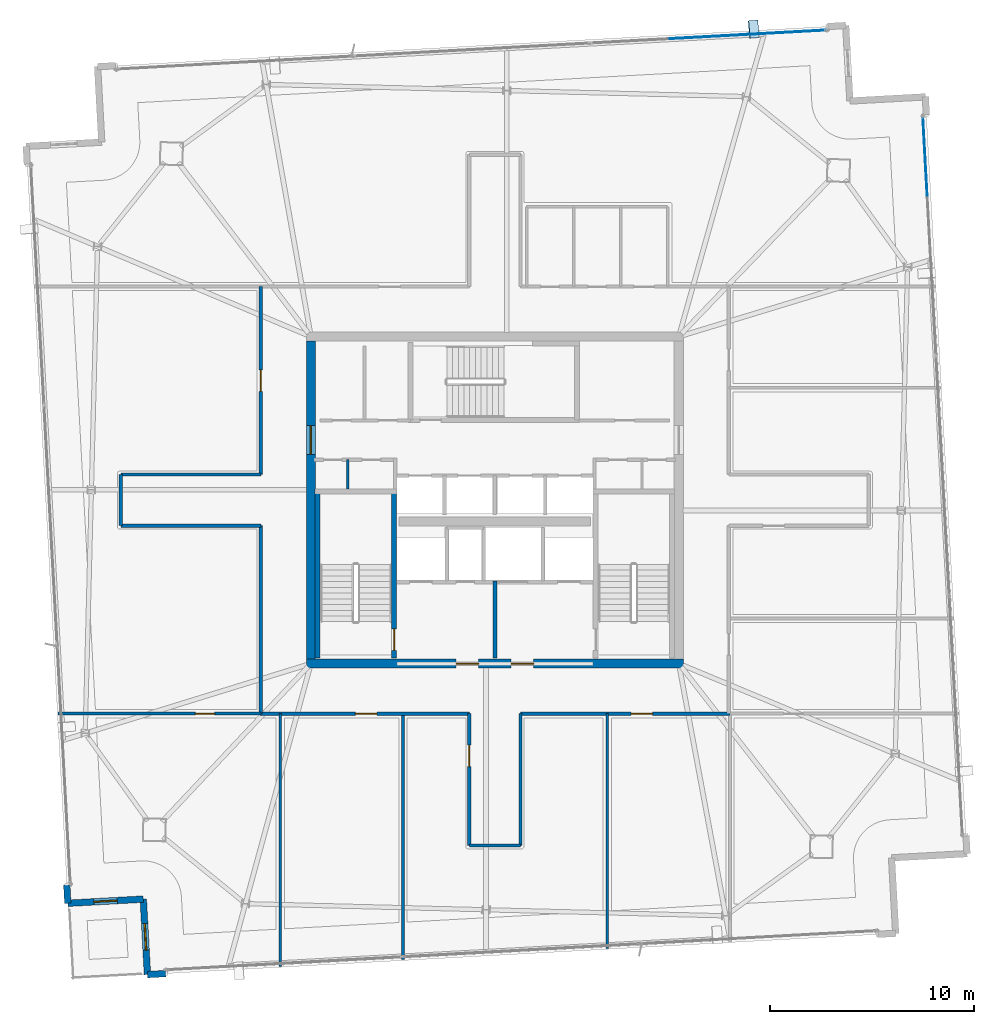
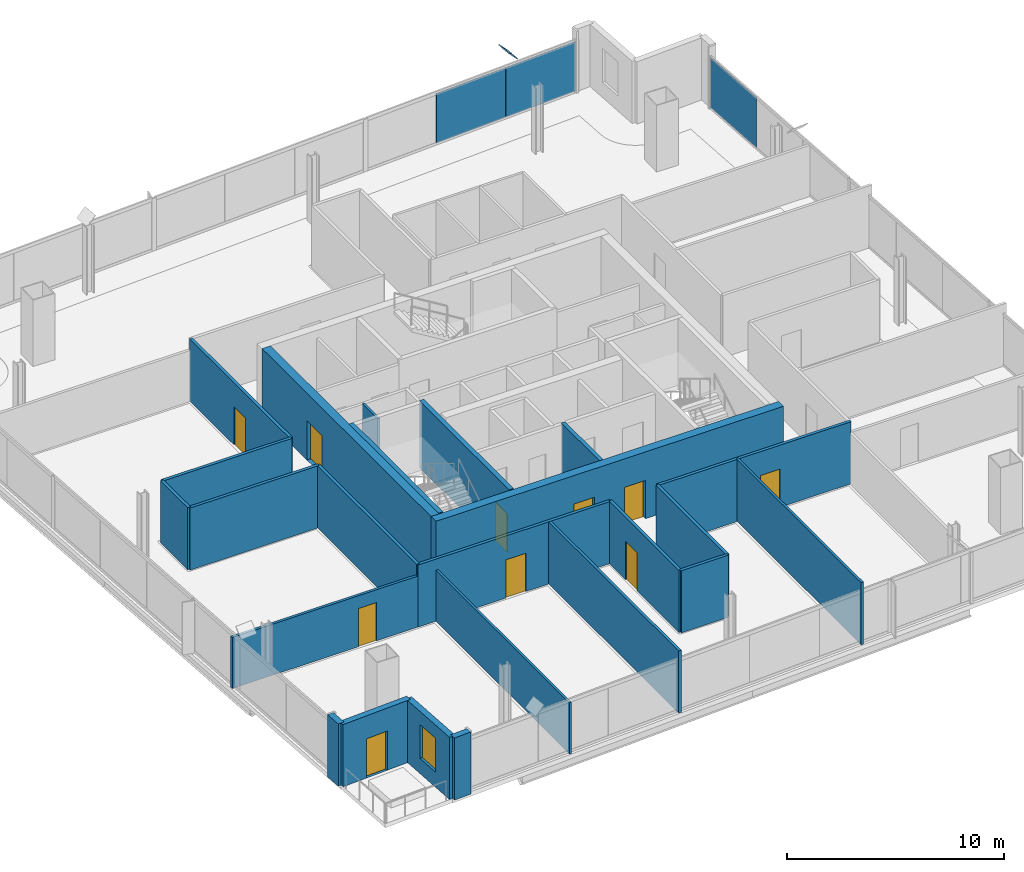
# One storey, part 17 of 23: 24 walls, 10 doors, 4 plates, 1 window, 11 openings, 2 elements without a shape of their own.
"""IFC4 building model written with IfcOpenShell, lengths in metres."""

from ifc_helpers import new_model, si_unit, direction, frame, frame_2d, origin, origin_2d, place, context, subcontext, project, spatial, rectangle, extrude, source, transform, mapped, material, layer, layer_set, type_object, element, fill, aggregate, save


model = new_model("IFC4")

# Units and contexts
model_context = context("Model", 3, precision=1e-05, world=origin(), true_north=direction((0.0, 1.0)))
body_context = subcontext(model_context, "Body", "Model", "MODEL_VIEW")
ifc_project = project(units=[si_unit("LENGTHUNIT", "METRE"), si_unit("AREAUNIT", "SQUARE_METRE"), si_unit("VOLUMEUNIT", "CUBIC_METRE"), si_unit("PLANEANGLEUNIT", "RADIAN"), si_unit("MASSUNIT", "GRAM", prefix="KILO")], contexts=[model_context])

# Site, building, storey
site_placement = place(None, origin())
site = spatial("IfcSite", under=ifc_project, at=site_placement, CompositionType="ELEMENT")
building_placement = place(site_placement, origin())
building = spatial("IfcBuilding", under=site, at=building_placement, Name="Haldenkirk Collegiate Tower", CompositionType="ELEMENT")
storey_placement = place(building_placement, frame((0.0, 0.0, 340.199951171875)))
storey = spatial("IfcBuildingStorey", under=building, at=storey_placement, Name="L86", CompositionType="ELEMENT", Elevation=340.199951171875)

# Plate
ifc_material_1 = material(Name="Steel ASTM A572 Grade 50", Category="steel")
ifc_layer_1 = layer(ifc_material_1, 0.034912109375)
ifc_layer_set_1 = layer_set([ifc_layer_1], Name="Steel ASTM A572 Grade 50")
plate_type_1 = type_object("IfcPlateType", Name="PLT-CAP-EXT-760X600", PredefinedType="USERDEFINED", material=ifc_layer_set_1)
shared_shape_1 = source(origin(), body_context, "Body", "SweptSolid", [
    extrude(rectangle(XDim=0.860107421875, YDim=0.659912109375, at=origin_2d()), origin(), (0.0, 0.0, 1.0), 0.034912109375),
])
plate_1_placement = place(storey_placement, frame((48.654052734375, 49.043701171875, 3.47802734375), z_axis=(0.724750704433, 0.060998975123, 0.686305720112), x_axis=(-0.083868952574, 0.996476792903, 2.8204e-08)))
element("IfcPlate", 1, at=plate_1_placement, inside=storey, type_object=plate_type_1, Name="Perimeter Mega Brace Z6 L84-L86 EL end cap plate 2", ObjectType="END CAP PLATE", PredefinedType="USERDEFINED", context=body_context, shape_type="MappedRepresentation", body=[
    mapped(shared_shape_1, transform((0.0, 0.0, 0.0), x_axis=(1.0, 0.0, 0.0), y_axis=(0.0, 1.0, 0.0), z_axis=(0.0, 0.0, 1.0), scale=1.0)),
])

# Curtain wall, plate
ifc_material_2 = material(Name="Anodised architectural bronze aluminium", Category="aluminium")
curtain_wall_type_1 = type_object("IfcCurtainWallType", Name="CW-SYS2-CONCAVE", PredefinedType="USERDEFINED", material=ifc_material_2)
curtain_wall_1_placement = place(storey_placement, origin())
curtain_wall_1 = element("IfcCurtainWall", 2, at=curtain_wall_1_placement, inside=storey, type_object=curtain_wall_type_1, Name="L86 South concave recessed bronze-anodised curtain wall", ObjectType="UNITISED CURTAIN WALL", PredefinedType="USERDEFINED")
ifc_material_3 = material(Name="Low-E argon triple insulating glass", Category="glass")
ifc_layer_2 = layer(ifc_material_3, 0.0419921875)
ifc_layer_set_2 = layer_set([ifc_layer_2], Name="Low-E argon triple insulating glass")
plate_type_2 = type_object("IfcPlateType", Name="CW-PNL-02", PredefinedType="CURTAIN_PANEL", material=ifc_layer_set_2)
shared_shape_2 = source(origin(), body_context, "Body", "SweptSolid", [
    extrude(rectangle(XDim=3.872314453125, YDim=0.0419921875, at=origin_2d()), origin(), (0.0, 0.0, 1.0), 2.798095703125),
])
plate_2_placement = place(storey_placement, frame((57.052490234375, 42.821044921875, 0.0751953125), z_axis=(0.0, 0.0, 1.0), x_axis=(0.054948957849, -0.998489164704, 0.0)))
plate_2 = element("IfcPlate", 3, at=plate_2_placement, type_object=plate_type_2, Name="CW-02 panel 1.1a", PredefinedType="CURTAIN_PANEL", context=body_context, shape_type="MappedRepresentation", body=[
    mapped(shared_shape_2, transform((0.0, 0.0, 0.0), x_axis=(1.0, 0.0, 0.0), y_axis=(0.0, 1.0, 0.0), z_axis=(0.0, 0.0, 1.0), scale=1.0)),
])
aggregate(curtain_wall_1, [plate_2])

# Curtain wall, plates
curtain_wall_type_2 = type_object("IfcCurtainWallType", Name="CW-SYS1B-CONVEX-HI", PredefinedType="USERDEFINED", material=ifc_material_2)
curtain_wall_2_placement = place(storey_placement, origin())
curtain_wall_2 = element("IfcCurtainWall", 4, at=curtain_wall_2_placement, inside=storey, type_object=curtain_wall_type_2, Name="L86 Upper tower high-wind convex bronze unitised curtain wall", ObjectType="UNITISED CURTAIN WALL", PredefinedType="USERDEFINED")
ifc_material_4 = material(Name="Bronze-anodised insulated aluminium spandrel panel", Category="aluminium")
ifc_layer_3 = layer(ifc_material_4, 0.048095703125)
ifc_layer_set_3 = layer_set([ifc_layer_3], Name="Bronze-anodised insulated aluminium spandrel panel")
plate_type_3 = type_object("IfcPlateType", Name="CW-SPD-1B", PredefinedType="CURTAIN_PANEL", material=ifc_layer_set_3)
shared_shape_3 = source(origin(), body_context, "Body", "SweptSolid", [
    extrude(rectangle(XDim=3.820068359375, YDim=0.048095703125, at=origin_2d()), origin(), (0.0, 0.0, 1.0), 2.778076171875),
])
plate_3_placement = place(storey_placement, frame((50.293701171875, 48.889892578125, 0.0849609375), z_axis=(0.0, 0.0, 1.0), x_axis=(0.998489243173, 0.054947531961, 0.0)))
plate_3 = element("IfcPlate", 5, at=plate_3_placement, type_object=plate_type_3, Name="CW-1B spandrel panel 3.1c", PredefinedType="CURTAIN_PANEL", context=body_context, shape_type="MappedRepresentation", body=[
    mapped(shared_shape_3, transform((0.0, 0.0, 0.0), x_axis=(1.0, 0.0, 0.0), y_axis=(0.0, 1.0, 0.0), z_axis=(0.0, 0.0, 1.0), scale=1.0)),
])
shared_shape_4 = source(origin(), body_context, "Body", "SweptSolid", [
    extrude(rectangle(XDim=3.8076171875, YDim=0.048095703125, at=origin_2d()), origin(), (0.0, 0.0, 1.0), 2.778076171875),
])
plate_4_placement = place(storey_placement, frame((46.460693359375, 48.678955078125, 0.0849609375), z_axis=(0.0, 0.0, 1.0), x_axis=(0.998489243173, 0.054947531961, 0.0)))
plate_4 = element("IfcPlate", 6, at=plate_4_placement, type_object=plate_type_3, Name="CW-1B spandrel panel 3.1b", PredefinedType="CURTAIN_PANEL", context=body_context, shape_type="MappedRepresentation", body=[
    mapped(shared_shape_4, transform((0.0, 0.0, 0.0), x_axis=(1.0, 0.0, 0.0), y_axis=(0.0, 1.0, 0.0), z_axis=(0.0, 0.0, 1.0), scale=1.0)),
])
aggregate(curtain_wall_2, [plate_4, plate_3])

# Wall, openings, doors
ifc_material_5 = material(Name="Concrete f'c 55 MPa", Category="concrete")
ifc_layer_4 = layer(ifc_material_5, 0.449951171875)
ifc_layer_set_4 = layer_set([ifc_layer_4], Name="Concrete f'c 55 MPa")
wall_type_1 = type_object("IfcWallType", Name="WL-CORE-450", PredefinedType="SHEAR", material=ifc_layer_set_4)
wall_1_placement = place(storey_placement, frame((26.77490234375, 18.0, 0.0), z_axis=(0.0, 0.0, 1.0), x_axis=(1.0, 0.0, 0.0)))
wall_1 = element("IfcWall", 7, at=wall_1_placement, inside=storey, type_object=wall_type_1, Name="L86 central core shear wall S", PredefinedType="SHEAR", context=body_context, shape_type="SweptSolid", body=[
    extrude(rectangle(XDim=18.4501953125, YDim=0.449951171875, at=frame_2d((9.22509765625, 0.0))), origin(), (0.0, 0.0, 1.0), 3.75),
])
opening_1_placement = place(wall_1_placement, frame((7.324951171875, 0.0, 0.0)))
opening_1 = element("IfcOpeningElement", 8, at=opening_1_placement, cuts=wall_1, Name="Opening D-02", PredefinedType="OPENING", context=body_context, shape_type="SweptSolid", body=[
    extrude(rectangle(XDim=1.10009765625, YDim=2.14990234375, at=frame_2d((0.550048828125, 1.074951171875))), frame((0.0, 0.23486328125, 0.0), z_axis=(0.0, -1.0, 0.0), x_axis=(1.0, 0.0, 0.0)), (0.0, 0.0, 1.0), 0.469970703125),
])
opening_2_placement = place(wall_1_placement, frame((10.02490234375, 0.0, 0.0)))
opening_2 = element("IfcOpeningElement", 9, at=opening_2_placement, cuts=wall_1, Name="Opening D-02", PredefinedType="OPENING", context=body_context, shape_type="SweptSolid", body=[
    extrude(rectangle(XDim=1.10009765625, YDim=2.14990234375, at=frame_2d((0.550048828125, 1.074951171875))), frame((0.0, 0.23486328125, 0.0), z_axis=(0.0, -1.0, 0.0), x_axis=(1.0, 0.0, 0.0)), (0.0, 0.0, 1.0), 0.469970703125),
])
ifc_material_6 = material(Name="Galvanized fire-rated hollow steel door", Category="steel")
ifc_layer_5 = layer(ifc_material_6, 0.06005859375)
ifc_layer_set_5 = layer_set([ifc_layer_5], Name="Galvanized fire-rated hollow steel door")
door_type_1 = type_object("IfcDoorType", Name="DR-STAIR-FD90-1100", OperationType="NOTDEFINED", PredefinedType="DOOR", material=ifc_layer_set_5)
door_1_placement = place(opening_1_placement, origin())
door_1 = element("IfcDoor", 10, at=door_1_placement, inside=storey, type_object=door_type_1, Name="L86 Firefighting Lobby 1 door", OperationType="SINGLE_SWING_LEFT", OverallHeight=2.14990234375, OverallWidth=1.10009765625, PredefinedType="DOOR", context=body_context, shape_type="SweptSolid", body=[
    extrude(rectangle(XDim=1.10009765625, YDim=2.14990234375, at=frame_2d((0.550048828125, 1.074951171875))), frame((0.0, 0.02490234375, 0.0), z_axis=(0.0, -1.0, 0.0), x_axis=(1.0, 0.0, 0.0)), (0.0, 0.0, 1.0), 0.050048828125),
])
fill(opening_1, door_1)
door_2_placement = place(opening_2_placement, origin())
door_2 = element("IfcDoor", 11, at=door_2_placement, inside=storey, type_object=door_type_1, Name="L86 Firefighting Lobby 2 door", OperationType="SINGLE_SWING_RIGHT", OverallHeight=2.14990234375, OverallWidth=1.10009765625, PredefinedType="DOOR", context=body_context, shape_type="SweptSolid", body=[
    extrude(rectangle(XDim=1.10009765625, YDim=2.14990234375, at=frame_2d((0.550048828125, 1.074951171875))), frame((0.0, 0.02490234375, 0.0), z_axis=(0.0, -1.0, 0.0), x_axis=(1.0, 0.0, 0.0)), (0.0, 0.0, 1.0), 0.050048828125),
])
fill(opening_2, door_2)

# Wall, opening, door
wall_2_placement = place(storey_placement, frame((27.0, 18.22509765625, 0.0), z_axis=(0.0, 0.0, 1.0), x_axis=(0.0, 1.0, 0.0)))
wall_2 = element("IfcWall", 12, at=wall_2_placement, inside=storey, type_object=wall_type_1, Name="L86 central core shear wall W", PredefinedType="SHEAR", context=body_context, shape_type="SweptSolid", body=[
    extrude(rectangle(XDim=15.5498046875, YDim=0.449951171875, at=frame_2d((7.77490234375, 0.0))), origin(), (0.0, 0.0, 1.0), 3.75),
])
opening_3_placement = place(wall_2_placement, frame((10.014892578125, 0.0, 0.0)))
opening_3 = element("IfcOpeningElement", 13, at=opening_3_placement, cuts=wall_2, Name="Opening D-03", PredefinedType="OPENING", context=body_context, shape_type="SweptSolid", body=[
    extrude(rectangle(XDim=1.39990234375, YDim=2.199951171875, at=frame_2d((0.699951171875, 1.10009765625))), frame((0.0, 0.23486328125, 0.0), z_axis=(0.0, -1.0, 0.0), x_axis=(1.0, 0.0, 0.0)), (0.0, 0.0, 1.0), 0.469970703125),
])
ifc_layer_6 = layer(ifc_material_6, 0.06005859375)
ifc_layer_set_6 = layer_set([ifc_layer_6], Name="Galvanized fire-rated hollow steel door")
door_type_2 = type_object("IfcDoorType", Name="DR-LOBBY-FD90-1400", OperationType="NOTDEFINED", PredefinedType="DOOR", material=ifc_layer_set_6)
door_3_placement = place(opening_3_placement, origin())
door_3 = element("IfcDoor", 14, at=door_3_placement, inside=storey, type_object=door_type_2, Name="L86 west lift lobby portal", OperationType="DOUBLE_DOOR_SINGLE_SWING", OverallHeight=2.199951171875, OverallWidth=1.39990234375, PredefinedType="DOOR", context=body_context, shape_type="SweptSolid", body=[
    extrude(rectangle(XDim=1.39990234375, YDim=2.199951171875, at=frame_2d((0.699951171875, 1.10009765625))), frame((0.0, 0.02490234375, 0.0), z_axis=(0.0, -1.0, 0.0), x_axis=(1.0, 0.0, 0.0)), (0.0, 0.0, 1.0), 0.050048828125),
])
fill(opening_3, door_3)

# Wall
ifc_material_7 = material(Name="Precast concrete f'c 40 MPa", Category="concrete")
ifc_layer_7 = layer(ifc_material_7, 0.320068359375)
ifc_layer_set_7 = layer_set([ifc_layer_7], Name="Precast concrete f'c 40 MPa")
wall_type_2 = type_object("IfcWallType", Name="WL-EXT-TWR-320", PredefinedType="STANDARD", material=ifc_layer_set_7)
wall_3_placement = place(storey_placement, frame((15.1025390625, 6.27197265625, 0.0), z_axis=(0.0, 0.0, 1.0), x_axis=(-0.055079305034, 0.99848198289, 0.0)))
element("IfcWall", 15, at=wall_3_placement, inside=storey, type_object=wall_type_2, Name="L86 precast corner pier NL", PredefinedType="STANDARD", context=body_context, shape_type="SweptSolid", body=[
    extrude(rectangle(XDim=0.89990234375, YDim=0.320068359375, at=frame_2d((0.449951171875, 0.0))), origin(), (0.0, 0.0, 1.0), 3.489990234375),
])

# Wall, opening, door
wall_4_placement = place(storey_placement, frame((18.796875, 6.47509765625, 0.0), z_axis=(0.0, 0.0, 1.0), x_axis=(-0.998491863457, -0.054899896273, 0.0)))
wall_4 = element("IfcWall", 16, at=wall_4_placement, inside=storey, type_object=wall_type_2, Name="L86 bronze precast notch wall 08", PredefinedType="STANDARD", context=body_context, shape_type="SweptSolid", body=[
    extrude(rectangle(XDim=3.699951171875, YDim=0.320068359375, at=frame_2d((1.85009765625, 0.0))), origin(), (0.0, 0.0, 1.0), 3.489990234375),
])
opening_4_placement = place(wall_4_placement, frame((1.27490234375, 0.0, 0.0)))
opening_4 = element("IfcOpeningElement", 17, at=opening_4_placement, cuts=wall_4, Name="Opening D-ST11", PredefinedType="OPENING", context=body_context, shape_type="SweptSolid", body=[
    extrude(rectangle(XDim=1.14990234375, YDim=2.199951171875, at=frame_2d((0.574951171875, 1.10009765625))), frame((0.0, 0.169921875, 0.0), z_axis=(0.0, -1.0, 0.0), x_axis=(1.0, 0.0, 0.0)), (0.0, 0.0, 1.0), 0.340087890625),
])
ifc_layer_8 = layer(ifc_material_2, 0.080078125)
ifc_layer_set_8 = layer_set([ifc_layer_8], Name="Anodised architectural bronze aluminium")
door_type_3 = type_object("IfcDoorType", Name="DR-EXT-STER-1150", OperationType="NOTDEFINED", PredefinedType="DOOR", material=ifc_layer_set_8)
door_4_placement = place(opening_4_placement, origin())
door_4 = element("IfcDoor", 18, at=door_4_placement, inside=storey, type_object=door_type_3, Name="L86 spiralling terrace door", OperationType="SINGLE_SWING_LEFT", OverallHeight=2.199951171875, OverallWidth=1.14990234375, PredefinedType="DOOR", context=body_context, shape_type="SweptSolid", body=[
    extrude(rectangle(XDim=1.14990234375, YDim=2.199951171875, at=frame_2d((0.574951171875, 1.10009765625))), frame((0.0, 0.02490234375, 0.0), z_axis=(0.0, -1.0, 0.0), x_axis=(1.0, 0.0, 0.0)), (0.0, 0.0, 1.0), 0.050048828125),
])
fill(opening_4, door_4)

# Wall, opening, window
wall_5_placement = place(storey_placement, frame((19.000244140625, 2.78076171875, 0.0), z_axis=(0.0, 0.0, 1.0), x_axis=(-0.054965682487, 0.998488244172, 0.0)))
wall_5 = element("IfcWall", 19, at=wall_5_placement, inside=storey, type_object=wall_type_2, Name="L86 bronze precast notch wall 09", PredefinedType="STANDARD", context=body_context, shape_type="SweptSolid", body=[
    extrude(rectangle(XDim=3.699951171875, YDim=0.320068359375, at=frame_2d((1.85009765625, 0.0))), origin(), (0.0, 0.0, 1.0), 3.489990234375),
])
opening_5_placement = place(wall_5_placement, frame((1.199951171875, 0.0, 0.85009765625)))
opening_5 = element("IfcOpeningElement", 20, at=opening_5_placement, cuts=wall_5, Name="Opening W-08", PredefinedType="OPENING", context=body_context, shape_type="SweptSolid", body=[
    extrude(rectangle(XDim=1.300048828125, YDim=1.89990234375, at=frame_2d((0.64990234375, 0.949951171875))), frame((0.0, 0.169921875, 0.0), z_axis=(0.0, -1.0, 0.0), x_axis=(1.0, 0.0, 0.0)), (0.0, 0.0, 1.0), 0.340087890625),
])
ifc_layer_9 = layer(ifc_material_3, 0.090087890625)
ifc_layer_set_9 = layer_set([ifc_layer_9], Name="Low-E argon triple insulating glass")
window_type = type_object("IfcWindowType", Name="WN-Z6-1300X1900", PartitioningType="SINGLE_PANEL", PredefinedType="WINDOW", material=ifc_layer_set_9)
window_placement = place(opening_5_placement, origin())
window = element("IfcWindow", 21, at=window_placement, inside=storey, type_object=window_type, Name="L86 precast-frame academic window 8", OverallHeight=1.89990234375, OverallWidth=1.300048828125, PartitioningType="SINGLE_PANEL", PredefinedType="WINDOW", context=body_context, shape_type="SweptSolid", body=[
    extrude(rectangle(XDim=1.300048828125, YDim=1.89990234375, at=frame_2d((0.64990234375, 0.949951171875))), frame((0.0, 0.030029296875, 0.0), z_axis=(0.0, -1.0, 0.0), x_axis=(1.0, 0.0, 0.0)), (0.0, 0.0, 1.0), 0.06005859375),
])
fill(opening_5, window)

# Wall
wall_6_placement = place(storey_placement, frame((19.898681640625, 2.830322265625, 0.0), z_axis=(0.0, 0.0, 1.0), x_axis=(-0.99848198289, -0.055079305034, 0.0)))
element("IfcWall", 22, at=wall_6_placement, inside=storey, type_object=wall_type_2, Name="L86 precast corner pier WR", PredefinedType="STANDARD", context=body_context, shape_type="SweptSolid", body=[
    extrude(rectangle(XDim=0.89990234375, YDim=0.320068359375, at=frame_2d((0.449951171875, 0.0))), origin(), (0.0, 0.0, 1.0), 3.489990234375),
])

# Wall, opening, door
ifc_material_8 = material(Name="Acoustic fire-rated gypsum partition", Category="concrete")
ifc_layer_10 = layer(ifc_material_8, 0.159912109375)
ifc_layer_set_10 = layer_set([ifc_layer_10], Name="Acoustic fire-rated gypsum partition")
wall_type_3 = type_object("IfcWallType", Name="WL-INT-CORR-160", PredefinedType="PARTITIONING", material=ifc_layer_set_10)
wall_7_placement = place(storey_placement, frame((24.5, 15.550048828125, 0.0), z_axis=(0.0, 0.0, 1.0), x_axis=(1.0, 0.0, 0.0)))
wall_7 = element("IfcWall", 23, at=wall_7_placement, inside=storey, type_object=wall_type_3, Name="L86 interior partition IW-L86-CS1", PredefinedType="PARTITIONING", context=body_context, shape_type="SweptSolid", body=[
    extrude(rectangle(XDim=10.25, YDim=0.159912109375, at=frame_2d((5.125, 0.0))), origin(), (0.0, 0.0, 1.0), 3.489990234375),
])
opening_6_placement = place(wall_7_placement, frame((4.675048828125, 0.0, 0.0)))
opening_6 = element("IfcOpeningElement", 24, at=opening_6_placement, cuts=wall_7, Name="Opening D-09", PredefinedType="OPENING", context=body_context, shape_type="SweptSolid", body=[
    extrude(rectangle(XDim=1.050048828125, YDim=2.14990234375, at=frame_2d((0.52490234375, 1.074951171875))), frame((0.0, 0.08984375, 0.0), z_axis=(0.0, -1.0, 0.0), x_axis=(1.0, 0.0, 0.0)), (0.0, 0.0, 1.0), 0.179931640625),
])
ifc_material_9 = material(Name="Solid-core architectural oak fire door", Category="wood")
ifc_layer_11 = layer(ifc_material_9, 0.06005859375)
ifc_layer_set_11 = layer_set([ifc_layer_11], Name="Solid-core architectural oak fire door")
door_type_4 = type_object("IfcDoorType", Name="DR-INT-FD60-1050", OperationType="NOTDEFINED", PredefinedType="DOOR", material=ifc_layer_set_11)
door_5_placement = place(opening_6_placement, origin())
door_5 = element("IfcDoor", 25, at=door_5_placement, inside=storey, type_object=door_type_4, Name="L86 Student Reading Lounge 2 door", OperationType="SINGLE_SWING_RIGHT", OverallHeight=2.14990234375, OverallWidth=1.050048828125, PredefinedType="DOOR", context=body_context, shape_type="SweptSolid", body=[
    extrude(rectangle(XDim=1.050048828125, YDim=2.14990234375, at=frame_2d((0.52490234375, 1.074951171875))), frame((0.0, 0.02490234375, 0.0), z_axis=(0.0, -1.0, 0.0), x_axis=(1.0, 0.0, 0.0)), (0.0, 0.0, 1.0), 0.050048828125),
])
fill(opening_6, door_5)

wall_8_placement = place(storey_placement, frame((37.25, 15.550048828125, 0.0), z_axis=(0.0, 0.0, 1.0), x_axis=(1.0, 0.0, 0.0)))
wall_8 = element("IfcWall", 26, at=wall_8_placement, inside=storey, type_object=wall_type_3, Name="L86 interior partition IW-L86-CS2", PredefinedType="PARTITIONING", context=body_context, shape_type="SweptSolid", body=[
    extrude(rectangle(XDim=10.25, YDim=0.159912109375, at=frame_2d((5.125, 0.0))), origin(), (0.0, 0.0, 1.0), 3.489990234375),
])
opening_7_placement = place(wall_8_placement, frame((5.4189453125, 0.0, 0.0)))
opening_7 = element("IfcOpeningElement", 27, at=opening_7_placement, cuts=wall_8, Name="Opening D-09", PredefinedType="OPENING", context=body_context, shape_type="SweptSolid", body=[
    extrude(rectangle(XDim=1.050048828125, YDim=2.14990234375, at=frame_2d((0.52490234375, 1.074951171875))), frame((0.0, 0.08984375, 0.0), z_axis=(0.0, -1.0, 0.0), x_axis=(1.0, 0.0, 0.0)), (0.0, 0.0, 1.0), 0.179931640625),
])
door_6_placement = place(opening_7_placement, origin())
door_6 = element("IfcDoor", 28, at=door_6_placement, inside=storey, type_object=door_type_4, Name="L86 Faculty Club Lounge 4 door", OperationType="SINGLE_SWING_RIGHT", OverallHeight=2.14990234375, OverallWidth=1.050048828125, PredefinedType="DOOR", context=body_context, shape_type="SweptSolid", body=[
    extrude(rectangle(XDim=1.050048828125, YDim=2.14990234375, at=frame_2d((0.52490234375, 1.074951171875))), frame((0.0, 0.02490234375, 0.0), z_axis=(0.0, -1.0, 0.0), x_axis=(1.0, 0.0, 0.0)), (0.0, 0.0, 1.0), 0.050048828125),
])
fill(opening_7, door_6)

# Wall
wall_9_placement = place(storey_placement, frame((24.550048828125, 15.550048828125, 0.0), z_axis=(0.0, 0.0, 1.0), x_axis=(0.0, 1.0, 0.0)))
element("IfcWall", 29, at=wall_9_placement, inside=storey, type_object=wall_type_3, Name="L86 interior partition IW-L86-CW1", PredefinedType="PARTITIONING", context=body_context, shape_type="SweptSolid", body=[
    extrude(rectangle(XDim=9.199951171875, YDim=0.159912109375, at=frame_2d((4.60009765625, 0.0))), origin(), (0.0, 0.0, 1.0), 3.489990234375),
])

# Wall, opening, door
wall_10_placement = place(storey_placement, frame((24.550048828125, 27.25, 0.0), z_axis=(0.0, 0.0, 1.0), x_axis=(0.0, 1.0, 0.0)))
wall_10 = element("IfcWall", 30, at=wall_10_placement, inside=storey, type_object=wall_type_3, Name="L86 interior partition IW-L86-CW2", PredefinedType="PARTITIONING", context=body_context, shape_type="SweptSolid", body=[
    extrude(rectangle(XDim=9.199951171875, YDim=0.159912109375, at=frame_2d((4.60009765625, 0.0))), origin(), (0.0, 0.0, 1.0), 3.489990234375),
])
opening_8_placement = place(wall_10_placement, frame((4.074951171875, 0.0, 0.0)))
opening_8 = element("IfcOpeningElement", 31, at=opening_8_placement, cuts=wall_10, Name="Opening D-09", PredefinedType="OPENING", context=body_context, shape_type="SweptSolid", body=[
    extrude(rectangle(XDim=1.050048828125, YDim=2.14990234375, at=frame_2d((0.52490234375, 1.074951171875))), frame((0.0, 0.08984375, 0.0), z_axis=(0.0, -1.0, 0.0), x_axis=(1.0, 0.0, 0.0)), (0.0, 0.0, 1.0), 0.179931640625),
])
door_7_placement = place(opening_8_placement, origin())
door_7 = element("IfcDoor", 32, at=door_7_placement, inside=storey, type_object=door_type_4, Name="L86 Collegiate Commons Lounge 7 door", OperationType="SINGLE_SWING_LEFT", OverallHeight=2.14990234375, OverallWidth=1.050048828125, PredefinedType="DOOR", context=body_context, shape_type="SweptSolid", body=[
    extrude(rectangle(XDim=1.050048828125, YDim=2.14990234375, at=frame_2d((0.52490234375, 1.074951171875))), frame((0.0, 0.02490234375, 0.0), z_axis=(0.0, -1.0, 0.0), x_axis=(1.0, 0.0, 0.0)), (0.0, 0.0, 1.0), 0.050048828125),
])
fill(opening_8, door_7)

wall_11_placement = place(storey_placement, frame((34.75, 9.10009765625, 0.0), z_axis=(0.0, 0.0, 1.0), x_axis=(0.0, 1.0, 0.0)))
wall_11 = element("IfcWall", 33, at=wall_11_placement, inside=storey, type_object=wall_type_3, Name="L86 interior partition IW-L86-SPW", PredefinedType="PARTITIONING", context=body_context, shape_type="SweptSolid", body=[
    extrude(rectangle(XDim=6.449951171875, YDim=0.159912109375, at=frame_2d((3.22509765625, 0.0))), origin(), (0.0, 0.0, 1.0), 3.489990234375),
])
opening_9_placement = place(wall_11_placement, frame((3.861083984375, 0.0, 0.0)))
opening_9 = element("IfcOpeningElement", 34, at=opening_9_placement, cuts=wall_11, Name="Opening D-09", PredefinedType="OPENING", context=body_context, shape_type="SweptSolid", body=[
    extrude(rectangle(XDim=1.050048828125, YDim=2.14990234375, at=frame_2d((0.52490234375, 1.074951171875))), frame((0.0, 0.08984375, 0.0), z_axis=(0.0, -1.0, 0.0), x_axis=(1.0, 0.0, 0.0)), (0.0, 0.0, 1.0), 0.179931640625),
])
door_8_placement = place(opening_9_placement, origin())
door_8 = element("IfcDoor", 35, at=door_8_placement, inside=storey, type_object=door_type_4, Name="L86 Graduate Study Lounge 3 door", OperationType="SINGLE_SWING_LEFT", OverallHeight=2.14990234375, OverallWidth=1.050048828125, PredefinedType="DOOR", context=body_context, shape_type="SweptSolid", body=[
    extrude(rectangle(XDim=1.050048828125, YDim=2.14990234375, at=frame_2d((0.52490234375, 1.074951171875))), frame((0.0, 0.02490234375, 0.0), z_axis=(0.0, -1.0, 0.0), x_axis=(1.0, 0.0, 0.0)), (0.0, 0.0, 1.0), 0.050048828125),
])
fill(opening_9, door_8)

# Walls
wall_12_placement = place(storey_placement, frame((37.25, 9.10009765625, 0.0), z_axis=(0.0, 0.0, 1.0), x_axis=(0.0, 1.0, 0.0)))
element("IfcWall", 36, at=wall_12_placement, inside=storey, type_object=wall_type_3, Name="L86 interior partition IW-L86-SPE", PredefinedType="PARTITIONING", context=body_context, shape_type="SweptSolid", body=[
    extrude(rectangle(XDim=6.449951171875, YDim=0.159912109375, at=frame_2d((3.22509765625, 0.0))), origin(), (0.0, 0.0, 1.0), 3.489990234375),
])
wall_13_placement = place(storey_placement, frame((34.75, 9.10009765625, 0.0), z_axis=(0.0, 0.0, 1.0), x_axis=(1.0, 0.0, 0.0)))
element("IfcWall", 37, at=wall_13_placement, inside=storey, type_object=wall_type_3, Name="L86 interior partition IW-L86-SPS", PredefinedType="PARTITIONING", context=body_context, shape_type="SweptSolid", body=[
    extrude(rectangle(XDim=2.5, YDim=0.159912109375, at=frame_2d((1.25, 0.0))), origin(), (0.0, 0.0, 1.0), 3.489990234375),
])
for number, where, z_axis, x_axis, name in (
    (38, (17.699951171875, 24.75, 0.0), (0.0, 0.0, 1.0), (1.0, 0.0, 0.0), "L86 interior partition IW-L86-WPS"),
    (39, (17.699951171875, 27.25, 0.0), (0.0, 0.0, 1.0), (1.0, 0.0, 0.0), "L86 interior partition IW-L86-WPN"),
):
    element("IfcWall", number, at=place(storey_placement, frame(where, z_axis=z_axis, x_axis=x_axis)), inside=storey, type_object=wall_type_3, Name=name, PredefinedType="PARTITIONING", context=body_context, shape_type="SweptSolid", body=[
        extrude(rectangle(XDim=6.85009765625, YDim=0.159912109375, at=frame_2d((3.425048828125, 0.0))), origin(), (0.0, 0.0, 1.0), 3.489990234375),
    ])
wall_14_placement = place(storey_placement, frame((17.699951171875, 24.75, 0.0), z_axis=(0.0, 0.0, 1.0), x_axis=(0.0, 1.0, 0.0)))
element("IfcWall", 40, at=wall_14_placement, inside=storey, type_object=wall_type_3, Name="L86 interior partition IW-L86-WPW", PredefinedType="PARTITIONING", context=body_context, shape_type="SweptSolid", body=[
    extrude(rectangle(XDim=2.5, YDim=0.159912109375, at=frame_2d((1.25, 0.0))), origin(), (0.0, 0.0, 1.0), 3.489990234375),
])

# Wall, opening, door
ifc_layer_12 = layer(ifc_material_8, 0.139892578125)
ifc_layer_set_12 = layer_set([ifc_layer_12], Name="Acoustic fire-rated gypsum partition")
wall_type_4 = type_object("IfcWallType", Name="WL-INT-DIV-140", PredefinedType="PARTITIONING", material=ifc_layer_set_12)
wall_15_placement = place(storey_placement, frame((14.6318359375, 15.550048828125, 0.0), z_axis=(0.0, 0.0, 1.0), x_axis=(1.0, 0.0, 0.0)))
wall_15 = element("IfcWall", 41, at=wall_15_placement, inside=storey, type_object=wall_type_4, Name="L86 interior partition IW-L86-BWS", PredefinedType="PARTITIONING", context=body_context, shape_type="SweptSolid", body=[
    extrude(rectangle(XDim=9.918212890625, YDim=0.139892578125, at=frame_2d((4.958984375, 0.0))), origin(), (0.0, 0.0, 1.0), 2.8681640625),
])
opening_10_placement = place(wall_15_placement, frame((6.710205078125, 0.0, 0.0)))
opening_10 = element("IfcOpeningElement", 42, at=opening_10_placement, cuts=wall_15, Name="Opening D-12", PredefinedType="OPENING", context=body_context, shape_type="SweptSolid", body=[
    extrude(rectangle(XDim=0.949951171875, YDim=2.14990234375, at=frame_2d((0.47509765625, 1.074951171875))), frame((0.0, 0.079833984375, 0.0), z_axis=(0.0, -1.0, 0.0), x_axis=(1.0, 0.0, 0.0)), (0.0, 0.0, 1.0), 0.159912109375),
])
ifc_layer_13 = layer(ifc_material_9, 0.06005859375)
ifc_layer_set_13 = layer_set([ifc_layer_13], Name="Solid-core architectural oak fire door")
door_type_5 = type_object("IfcDoorType", Name="DR-INT-STD-950", OperationType="NOTDEFINED", PredefinedType="DOOR", material=ifc_layer_set_13)
door_9_placement = place(opening_10_placement, origin())
door_9 = element("IfcDoor", 43, at=door_9_placement, inside=storey, type_object=door_type_5, Name="L86 Collegiate Commons Lounge 1 door", OperationType="SINGLE_SWING_LEFT", OverallHeight=2.14990234375, OverallWidth=0.949951171875, PredefinedType="DOOR", context=body_context, shape_type="SweptSolid", body=[
    extrude(rectangle(XDim=0.949951171875, YDim=2.14990234375, at=frame_2d((0.47509765625, 1.074951171875))), frame((0.0, 0.02490234375, 0.0), z_axis=(0.0, -1.0, 0.0), x_axis=(1.0, 0.0, 0.0)), (0.0, 0.0, 1.0), 0.050048828125),
])
fill(opening_10, door_9)

# Walls
wall_16_placement = place(storey_placement, frame((31.5, 3.5087890625, 0.0), z_axis=(0.0, 0.0, 1.0), x_axis=(0.0, 1.0, 0.0)))
element("IfcWall", 44, at=wall_16_placement, inside=storey, type_object=wall_type_4, Name="L86 interior partition IW-L86-RS2", PredefinedType="PARTITIONING", context=body_context, shape_type="SweptSolid", body=[
    extrude(rectangle(XDim=12.041259765625, YDim=0.139892578125, at=frame_2d((6.0205078125, 0.0))), origin(), (0.0, 0.0, 1.0), 3.489990234375),
])
ifc_material_10 = material(Name="Fire-rated gypsum shaftboard assembly", Category="concrete")
ifc_layer_14 = layer(ifc_material_10, 0.199951171875)
ifc_layer_set_14 = layer_set([ifc_layer_14], Name="Fire-rated gypsum shaftboard assembly")
wall_type_5 = type_object("IfcWallType", Name="WL-INT-SHAFT-200", PredefinedType="PARTITIONING", material=ifc_layer_set_14)
wall_17_placement = place(storey_placement, frame((36.0, 18.280029296875, 0.0), z_axis=(0.0, 0.0, 1.0), x_axis=(0.0, 1.0, 0.0)))
element("IfcWall", 45, at=wall_17_placement, inside=storey, type_object=wall_type_5, Name="L86 interior partition IW-L86-FFLM", PredefinedType="PARTITIONING", context=body_context, shape_type="SweptSolid", body=[
    extrude(rectangle(XDim=3.77001953125, YDim=0.199951171875, at=frame_2d((1.885009765625, 0.0))), origin(), (0.0, 0.0, 1.0), 3.489990234375),
])
ifc_layer_15 = layer(ifc_material_8, 0.1201171875)
ifc_layer_set_15 = layer_set([ifc_layer_15], Name="Acoustic fire-rated gypsum partition")
wall_type_6 = type_object("IfcWallType", Name="WL-INT-WET-120", PredefinedType="PARTITIONING", material=ifc_layer_set_15)
wall_18_placement = place(storey_placement, frame((28.800048828125, 26.5400390625, 0.0), z_axis=(0.0, 0.0, 1.0), x_axis=(0.0, 1.0, 0.0)))
element("IfcWall", 46, at=wall_18_placement, inside=storey, type_object=wall_type_6, Name="L86 interior partition IW-L86-VCSW-M", PredefinedType="PARTITIONING", context=body_context, shape_type="SweptSolid", body=[
    extrude(rectangle(XDim=1.43994140625, YDim=0.1201171875, at=frame_2d((0.719970703125, 0.0))), origin(), (0.0, 0.0, 1.0), 3.489990234375),
])
wall_19_placement = place(storey_placement, frame((25.5, 3.1787109375, 0.0), z_axis=(0.0, 0.0, 1.0), x_axis=(0.0, 1.0, 0.0)))
element("IfcWall", 47, at=wall_19_placement, inside=storey, type_object=wall_type_6, Name="L86 interior partition IW-L86-RS1", PredefinedType="PARTITIONING", context=body_context, shape_type="SweptSolid", body=[
    extrude(rectangle(XDim=12.371337890625, YDim=0.1201171875, at=frame_2d((6.185546875, 0.0))), origin(), (0.0, 0.0, 1.0), 2.8681640625),
])
wall_20_placement = place(storey_placement, frame((41.5, 4.05908203125, 0.0), z_axis=(0.0, 0.0, 1.0), x_axis=(0.0, 1.0, 0.0)))
element("IfcWall", 48, at=wall_20_placement, inside=storey, type_object=wall_type_6, Name="L86 interior partition IW-L86-RS3", PredefinedType="PARTITIONING", context=body_context, shape_type="SweptSolid", body=[
    extrude(rectangle(XDim=11.490966796875, YDim=0.1201171875, at=frame_2d((5.74560546875, 0.0))), origin(), (0.0, 0.0, 1.0), 3.489990234375),
])

# Wall, opening, door
ifc_layer_16 = layer(ifc_material_5, 0.239990234375)
ifc_layer_set_16 = layer_set([ifc_layer_16], Name="Concrete f'c 55 MPa")
wall_type_7 = type_object("IfcWallType", Name="WL-SHAFT-240", PredefinedType="SHEAR", material=ifc_layer_set_16)
wall_21_placement = place(storey_placement, frame((31.070068359375, 18.280029296875, 0.0), z_axis=(0.0, 0.0, 1.0), x_axis=(0.0, 1.0, 0.0)))
wall_21 = element("IfcWall", 49, at=wall_21_placement, inside=storey, type_object=wall_type_7, Name="L86 stair shaft shear wall SW-L86-ST1E", PredefinedType="SHEAR", context=body_context, shape_type="SweptSolid", body=[
    extrude(rectangle(XDim=8.260009765625, YDim=0.239990234375, at=frame_2d((4.1298828125, 0.0))), origin(), (0.0, 0.0, 1.0), 3.75),
])
opening_11_placement = place(wall_21_placement, frame((0.364990234375, 0.0, 0.0)))
opening_11 = element("IfcOpeningElement", 50, at=opening_11_placement, cuts=wall_21, Name="Opening D-01", PredefinedType="OPENING", context=body_context, shape_type="SweptSolid", body=[
    extrude(rectangle(XDim=1.050048828125, YDim=2.14990234375, at=frame_2d((0.52490234375, 1.074951171875))), frame((0.0, 0.1298828125, 0.0), z_axis=(0.0, -1.0, 0.0), x_axis=(1.0, 0.0, 0.0)), (0.0, 0.0, 1.0), 0.260009765625),
])
ifc_layer_17 = layer(ifc_material_6, 0.06005859375)
ifc_layer_set_17 = layer_set([ifc_layer_17], Name="Galvanized fire-rated hollow steel door")
door_type_6 = type_object("IfcDoorType", Name="DR-STAIR-FD90-1050", OperationType="NOTDEFINED", PredefinedType="DOOR", material=ifc_layer_set_17)
door_10_placement = place(opening_11_placement, origin())
door_10 = element("IfcDoor", 51, at=door_10_placement, inside=storey, type_object=door_type_6, Name="L86 Stair 1 door", OperationType="SINGLE_SWING_LEFT", OverallHeight=2.14990234375, OverallWidth=1.050048828125, PredefinedType="DOOR", context=body_context, shape_type="SweptSolid", body=[
    extrude(rectangle(XDim=1.050048828125, YDim=2.14990234375, at=frame_2d((0.52490234375, 1.074951171875))), frame((0.0, 0.02490234375, 0.0), z_axis=(0.0, -1.0, 0.0), x_axis=(1.0, 0.0, 0.0)), (0.0, 0.0, 1.0), 0.050048828125),
])
fill(opening_11, door_10)

# Wall
wall_22_placement = place(storey_placement, frame((27.330078125, 18.280029296875, 0.0), z_axis=(0.0, 0.0, 1.0), x_axis=(0.0, 1.0, 0.0)))
element("IfcWall", 52, at=wall_22_placement, inside=storey, type_object=wall_type_7, Name="L86 stair shaft shear wall SW-L86-ST1W", PredefinedType="SHEAR", context=body_context, shape_type="SweptSolid", body=[
    extrude(rectangle(XDim=8.260009765625, YDim=0.239990234375, at=frame_2d((4.1298828125, 0.0))), origin(), (0.0, 0.0, 1.0), 3.75),
])

save(model, "model.ifc")
